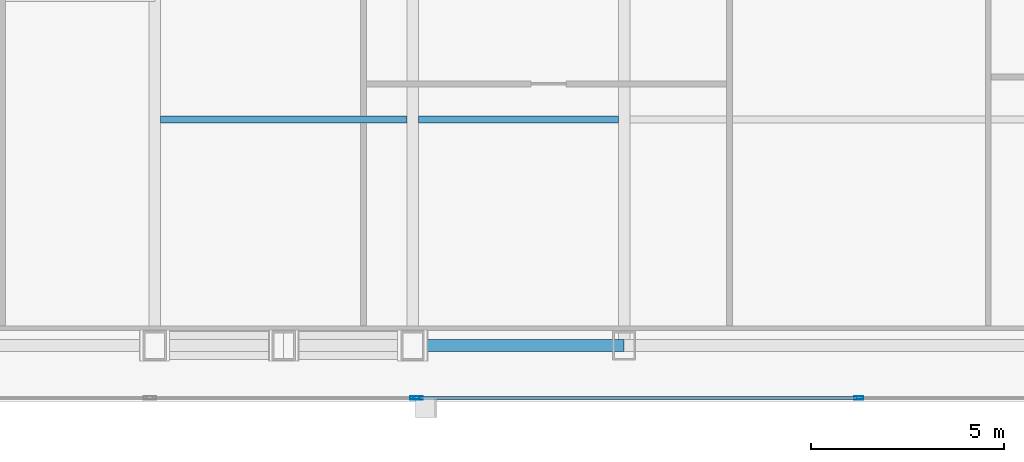
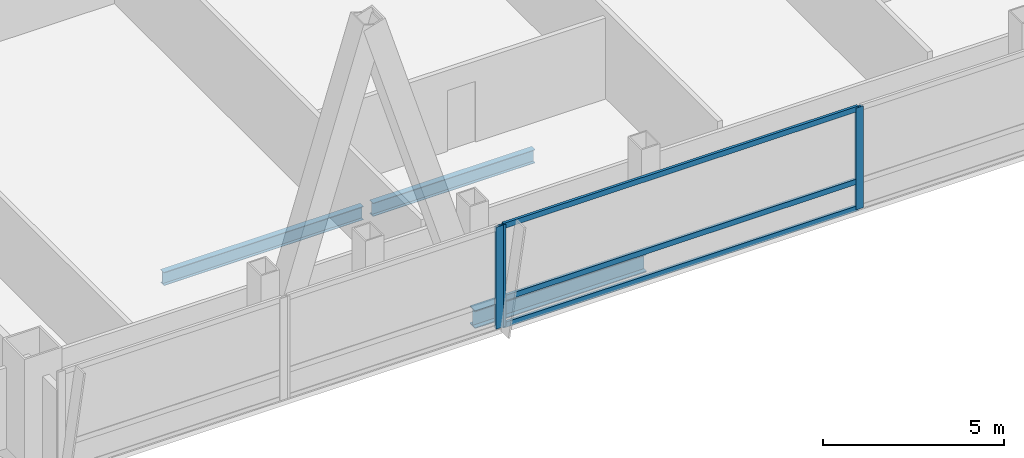
# One storey, part 8 of 33: 6 members, 3 beams, 2 elements without a shape of their own.
"""IFC4 building model written with IfcOpenShell, lengths in metres."""

from ifc_helpers import new_model, si_unit, direction, frame, origin, origin_2d, place, context, subcontext, project, spatial, hollow_rectangle, i_section, extrude, material, material_profile, profile_set, type_object, element, aggregate, save


model = new_model("IFC4")

# Units and contexts
model_context = context("Model", 3, precision=1e-05, world=origin(), true_north=direction((0.0, 1.0)))
body_context = subcontext(model_context, "Body", "Model", "MODEL_VIEW")
ifc_project = project(units=[si_unit("LENGTHUNIT", "METRE"), si_unit("AREAUNIT", "SQUARE_METRE"), si_unit("VOLUMEUNIT", "CUBIC_METRE"), si_unit("PLANEANGLEUNIT", "RADIAN"), si_unit("MASSUNIT", "GRAM", prefix="KILO")], contexts=[model_context])

# Site, building, storey
site_placement = place(None, origin())
site = spatial("IfcSite", under=ifc_project, at=site_placement, CompositionType="ELEMENT")
building_placement = place(site_placement, origin())
building = spatial("IfcBuilding", under=site, at=building_placement, Name="Khoronbel Lancet Exchange", CompositionType="ELEMENT")
storey_placement = place(building_placement, frame((0.0, 0.0, 210.199951171875)))
storey = spatial("IfcBuildingStorey", under=building, at=storey_placement, Name="L53", CompositionType="ELEMENT", Elevation=210.199951171875)

# Beams
ifc_material_1 = material(Name="Steel S355", Category="steel")
ifc_material_profile_1 = material_profile(ifc_material_1, i_section(OverallWidth=0.18994140625, OverallDepth=0.449951171875, WebThickness=0.009521484375, FlangeThickness=0.0146484375, at=origin_2d()), Name="IPE 450")
ifc_profile_set_1 = profile_set([ifc_material_profile_1], Name="Steel S355")
beam_type_1 = type_object("IfcBeamType", Name="BM-BJ4", PredefinedType="JOIST", material=ifc_profile_set_1)
beam_1_placement = place(storey_placement, frame((18.375, 16.0, -0.385009765625), z_axis=(1.0, 0.0, 0.0), x_axis=(0.0, 1.0, 0.0)))
element("IfcBeam", 1, at=beam_1_placement, inside=storey, type_object=beam_type_1, Name="Level L53 secondary composite joist J01", PredefinedType="JOIST", context=body_context, shape_type="SweptSolid", body=[
    extrude(i_section(OverallWidth=0.18994140625, OverallDepth=0.449951171875, WebThickness=0.009521484375, FlangeThickness=0.0146484375, at=origin_2d()), origin(), (0.0, 0.0, 1.0), 6.375),
])
beam_2_placement = place(storey_placement, frame((25.050048828125, 16.0, -0.385009765625), z_axis=(1.0, 0.0, 0.0), x_axis=(0.0, 1.0, 0.0)))
element("IfcBeam", 2, at=beam_2_placement, inside=storey, type_object=beam_type_1, Name="Level L53 secondary composite joist J02", PredefinedType="JOIST", context=body_context, shape_type="SweptSolid", body=[
    extrude(i_section(OverallWidth=0.18994140625, OverallDepth=0.449951171875, WebThickness=0.009521484375, FlangeThickness=0.0146484375, at=origin_2d()), origin(), (0.0, 0.0, 1.0), 5.175048828125),
])
ifc_material_profile_2 = material_profile(ifc_material_1, i_section(OverallWidth=0.300048828125, OverallDepth=0.60009765625, WebThickness=0.015380859375, FlangeThickness=0.030029296875, at=origin_2d()), Name="HEB 600")
ifc_profile_set_2 = profile_set([ifc_material_profile_2], Name="Steel S355")
beam_type_2 = type_object("IfcBeamType", Name="BM-BSP2", PredefinedType="SPANDREL", material=ifc_profile_set_2)
beam_3_placement = place(storey_placement, frame((24.89990234375, 10.14990234375, -0.4599609375), z_axis=(1.0, 0.0, 0.0), x_axis=(0.0, 1.0, 0.0)))
element("IfcBeam", 3, at=beam_3_placement, inside=storey, type_object=beam_type_2, Name="Level L53 perimeter spandrel beam SP04", PredefinedType="SPANDREL", context=body_context, shape_type="SweptSolid", body=[
    extrude(i_section(OverallWidth=0.300048828125, OverallDepth=0.60009765625, WebThickness=0.015380859375, FlangeThickness=0.030029296875, at=origin_2d()), origin(), (0.0, 0.0, 1.0), 5.47509765625),
])

# Curtain wall, member
ifc_material_2 = material(Name="Low-E Solar Control Insulating Glass", Category="glass")
curtain_wall_type = type_object("IfcCurtainWallType", Name="CW-3", PredefinedType="NOTDEFINED", material=ifc_material_2)
curtain_wall_1_placement = place(storey_placement, origin())
curtain_wall_1 = element("IfcCurtainWall", 4, at=curtain_wall_1_placement, inside=storey, type_object=curtain_wall_type, Name="Unitised curtain wall CW-L53-SWB", PredefinedType="NOTDEFINED")
ifc_material_3 = material(Name="Bronze-Anodised Aluminium 6063-T6", Category="aluminium")
ifc_material_profile_3 = material_profile(ifc_material_3, hollow_rectangle(XDim=0.0849609375, YDim=0.239990234375, WallThickness=0.006103515625, at=origin_2d()), Name="ALU MULLION 85x240")
ifc_profile_set_3 = profile_set([ifc_material_profile_3], Name="Bronze-Anodised Aluminium 6063-T6")
member_type_1 = type_object("IfcMemberType", Name="MEM-CWM1", PredefinedType="MULLION", material=ifc_profile_set_3)
member_1_placement = place(storey_placement, frame((24.95751953125, 8.7900390625, 0.0), z_axis=(0.0, 0.0, 1.0), x_axis=(0.0, 1.0, 0.0)))
member_1 = element("IfcMember", 5, at=member_1_placement, type_object=member_type_1, Name="CW3 mullion 2", PredefinedType="MULLION", context=body_context, shape_type="SweptSolid", body=[
    extrude(hollow_rectangle(XDim=0.0849609375, YDim=0.239990234375, WallThickness=0.006103515625, at=origin_2d()), origin(), (0.0, 0.0, 1.0), 3.43994140625),
])
aggregate(curtain_wall_1, [member_1])

# Curtain wall, members
curtain_wall_2_placement = place(storey_placement, origin())
curtain_wall_2 = element("IfcCurtainWall", 6, at=curtain_wall_2_placement, inside=storey, type_object=curtain_wall_type, Name="Unitised curtain wall CW-L53-SCV", PredefinedType="NOTDEFINED")
member_2_placement = place(storey_placement, frame((25.04248046875, 8.7900390625, 0.0), z_axis=(0.0, 0.0, 1.0), x_axis=(0.0, 1.0, 0.0)))
member_2 = element("IfcMember", 7, at=member_2_placement, type_object=member_type_1, Name="CW3 mullion 1", PredefinedType="MULLION", context=body_context, shape_type="SweptSolid", body=[
    extrude(hollow_rectangle(XDim=0.0849609375, YDim=0.239990234375, WallThickness=0.006103515625, at=origin_2d()), origin(), (0.0, 0.0, 1.0), 3.43994140625),
])
member_3_placement = place(storey_placement, frame((36.449951171875, 8.7900390625, 0.0), z_axis=(0.0, 0.0, 1.0), x_axis=(0.0, 1.0, 0.0)))
member_3 = element("IfcMember", 8, at=member_3_placement, type_object=member_type_1, Name="CW3 mullion 2", PredefinedType="MULLION", context=body_context, shape_type="SweptSolid", body=[
    extrude(hollow_rectangle(XDim=0.0849609375, YDim=0.239990234375, WallThickness=0.006103515625, at=origin_2d()), origin(), (0.0, 0.0, 1.0), 3.43994140625),
])
ifc_material_profile_4 = material_profile(ifc_material_3, hollow_rectangle(XDim=0.0849609375, YDim=0.179931640625, WallThickness=0.0048828125, at=origin_2d()), Name="ALU TRANSOM 85x180")
ifc_profile_set_4 = profile_set([ifc_material_profile_4], Name="Bronze-Anodised Aluminium 6063-T6")
member_type_2 = type_object("IfcMemberType", Name="MEM-CWT1", PredefinedType="USERDEFINED", material=ifc_profile_set_4)
member_4_placement = place(storey_placement, frame((25.0849609375, 8.7900390625, 0.04248046875), z_axis=(1.0, 0.0, 0.0), x_axis=(0.0, 1.0, 0.0)))
member_4 = element("IfcMember", 9, at=member_4_placement, type_object=member_type_2, Name="CW3 transom 1.1", ObjectType="TRANSOM", PredefinedType="USERDEFINED", context=body_context, shape_type="SweptSolid", body=[
    extrude(hollow_rectangle(XDim=0.0849609375, YDim=0.179931640625, WallThickness=0.0048828125, at=origin_2d()), origin(), (0.0, 0.0, 1.0), 11.322509765625),
])
member_5_placement = place(storey_placement, frame((25.0849609375, 8.7900390625, 0.949951171875), z_axis=(1.0, 0.0, 0.0), x_axis=(0.0, 1.0, 0.0)))
member_5 = element("IfcMember", 10, at=member_5_placement, type_object=member_type_2, Name="CW3 transom 1.2", ObjectType="TRANSOM", PredefinedType="USERDEFINED", context=body_context, shape_type="SweptSolid", body=[
    extrude(hollow_rectangle(XDim=0.0849609375, YDim=0.179931640625, WallThickness=0.0048828125, at=origin_2d()), origin(), (0.0, 0.0, 1.0), 11.322509765625),
])
member_6_placement = place(storey_placement, frame((25.0849609375, 8.7900390625, 3.3974609375), z_axis=(1.0, 0.0, 0.0), x_axis=(0.0, 1.0, 0.0)))
member_6 = element("IfcMember", 11, at=member_6_placement, type_object=member_type_2, Name="CW3 transom 1.3", ObjectType="TRANSOM", PredefinedType="USERDEFINED", context=body_context, shape_type="SweptSolid", body=[
    extrude(hollow_rectangle(XDim=0.0849609375, YDim=0.179931640625, WallThickness=0.0048828125, at=origin_2d()), origin(), (0.0, 0.0, 1.0), 11.322509765625),
])
aggregate(curtain_wall_2, [member_2, member_3, member_4, member_5, member_6])

save(model, "model.ifc")
